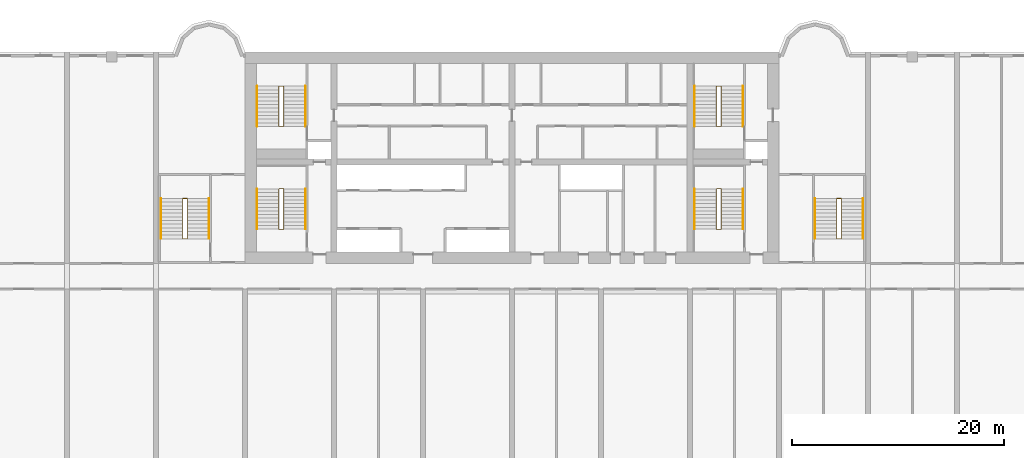
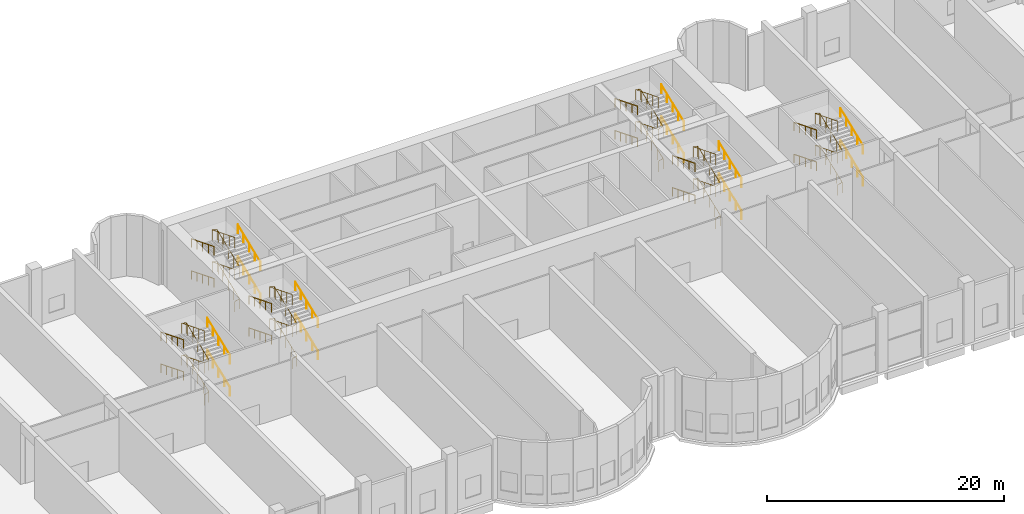
# One storey, part 15 of 15: 30 railings.
"""IFC4 building model written with IfcOpenShell, lengths in metres."""

import ifcopenshell
import ifcopenshell.guid

model = None  # the IFC model being written
_history = None  # IfcOwnerHistory: only IFC2X3 demands one
_inside = {}  # id of a spatial element -> (the spatial element, [elements in it])
_under = {}  # id of a project, library or spatial element -> (it, [spatial elements below it])
_declared = {}  # id of a project -> (the project, [libraries it declares])
_typed = {}  # id of a type object -> (the type object, [elements of that type])
_made_of = {}  # id of a material, layer set ... -> (it, [elements and type objects made of it])


def new_model(schema):
    """Start an empty IFC model of exactly this schema.

    Asked for "IFC4X3", IfcOpenShell would pick the latest addendum, in which some entities
    have other attributes; the version numbers below select the first issue.
    IFC2X3 requires an IfcOwnerHistory on every rooted entity: one is made here for all.
    """
    global model, _history
    if schema == "IFC4X3":
        model = ifcopenshell.file(schema_version=(4, 3, 0, 0))
    else:
        model = ifcopenshell.file(schema=schema)
    _inside.clear()
    _under.clear()
    _declared.clear()
    _typed.clear()
    _made_of.clear()
    _history = None
    if model.schema == "IFC2X3":
        org = make("IfcOrganization", Name="unknown")
        user = make(
            "IfcPersonAndOrganization",
            ThePerson=make("IfcPerson", FamilyName="unknown"),
            TheOrganization=org,
        )
        app = make(
            "IfcApplication",
            ApplicationDeveloper=org,
            Version="unknown",
            ApplicationFullName="unknown",
            ApplicationIdentifier="unknown",
        )
        _history = make(
            "IfcOwnerHistory",
            OwningUser=user,
            OwningApplication=app,
            ChangeAction="ADDED",
            CreationDate=0,
        )
    return model


def make(cls, **values):
    """One entity of the class cls with the attributes given. An attribute that is None is left unset."""
    return model.create_entity(
        cls, **{name: value for name, value in values.items() if value is not None}
    )


def rooted(cls, **values):
    """An entity with a GlobalId (a new one), such as an element, a storey or a relation."""
    return make(cls, GlobalId=ifcopenshell.guid.new(), OwnerHistory=_history, **values)


def si_unit(unit_type, name, prefix=None):
    """IfcSIUnit, for example si_unit("LENGTHUNIT", "METRE", prefix="MILLI")."""
    return make("IfcSIUnit", UnitType=unit_type, Prefix=prefix, Name=name)


def assignment(units):
    """IfcUnitAssignment: the units of a project."""
    return None if units is None else make("IfcUnitAssignment", Units=units)


def point(xyz):
    """IfcCartesianPoint."""
    return None if xyz is None else make("IfcCartesianPoint", Coordinates=xyz)


def direction(xyz):
    """IfcDirection."""
    return None if xyz is None else make("IfcDirection", DirectionRatios=xyz)


def frame(location, z_axis=None, x_axis=None):
    """IfcAxis2Placement3D, a coordinate frame: its origin and axes. An axis left out is left unset."""
    return make(
        "IfcAxis2Placement3D",
        Location=point(location),
        Axis=direction(z_axis),
        RefDirection=direction(x_axis),
    )


def frame_2d(location, x_axis=None):
    """IfcAxis2Placement2D, a coordinate frame in the plane: its origin and x axis."""
    return make(
        "IfcAxis2Placement2D", Location=point(location), RefDirection=direction(x_axis)
    )


def origin():
    """The frame at (0, 0, 0) with its axes left unset."""
    return frame((0.0, 0.0, 0.0))


def origin_2d():
    """The frame at (0, 0) in the plane with its x axis left unset."""
    return frame_2d((0.0, 0.0))


def place(relative_to, where):
    """IfcLocalPlacement: puts the frame where relative to a parent placement (None: the world)."""
    return make(
        "IfcLocalPlacement", PlacementRelTo=relative_to, RelativePlacement=where
    )


def context(
    kind, dimensions, precision=None, world=None, true_north=None, identifier=None
):
    """IfcGeometricRepresentationContext, for example the 3D "Model" context."""
    return make(
        "IfcGeometricRepresentationContext",
        ContextIdentifier=identifier,
        ContextType=kind,
        CoordinateSpaceDimension=dimensions,
        Precision=precision,
        WorldCoordinateSystem=world,
        TrueNorth=true_north,
    )


def subcontext(parent, identifier, kind, view, scale=None):
    """IfcGeometricRepresentationSubContext, for example "Body" below "Model"."""
    return make(
        "IfcGeometricRepresentationSubContext",
        ContextIdentifier=identifier,
        ContextType=kind,
        ParentContext=parent,
        TargetScale=scale,
        TargetView=view,
    )


def project(units=None, contexts=None):
    """IfcProject with its units and contexts."""
    return rooted(
        "IfcProject",
        Name="project",
        RepresentationContexts=contexts,
        UnitsInContext=assignment(units),
    )


def spatial(cls, under=None, at=None, **own):
    """A site, building, storey or space (cls), placed at a placement, below another one or the project."""
    s = rooted(cls, ObjectPlacement=at, **own)
    if under is not None:
        _under.setdefault(under.id(), (under, []))[1].append(s)
    return s


def profile(cls, at=None, kind="AREA", **sizes):
    """A parametric profile (cls). Its sizes go by their IFC names, for example OverallWidth=200.0."""
    return make(cls, ProfileType=kind, Position=at, **sizes)


def circle(**sizes):
    """IfcCircleProfileDef."""
    return profile("IfcCircleProfileDef", **sizes)


def extrude(swept, where, along, depth):
    """IfcExtrudedAreaSolid: the profile swept, set in the frame where, extruded along a direction by depth."""
    return make(
        "IfcExtrudedAreaSolid",
        SweptArea=swept,
        Position=where,
        ExtrudedDirection=direction(along),
        Depth=depth,
    )


def shape(context_of_items, identifier, shape_type, items):
    """IfcShapeRepresentation: the items that make up one representation, for example the "Body"."""
    return make(
        "IfcShapeRepresentation",
        ContextOfItems=context_of_items,
        RepresentationIdentifier=identifier,
        RepresentationType=shape_type,
        Items=items,
    )


def source(mapping_origin, context_of_items, identifier, shape_type, items):
    """IfcRepresentationMap: a shape defined once, which mapped items show again and again."""
    return make(
        "IfcRepresentationMap",
        MappingOrigin=mapping_origin,
        MappedRepresentation=shape(context_of_items, identifier, shape_type, items),
    )


def transform(
    local_origin,
    x_axis=None,
    y_axis=None,
    z_axis=None,
    scale=None,
    scale2=None,
    scale3=None,
    uniform=True,
):
    """IfcCartesianTransformationOperator3D, or its non-uniform kind. x_axis, y_axis, z_axis: its Axis1, 2, 3."""
    if uniform:
        return make(
            "IfcCartesianTransformationOperator3D",
            Axis1=direction(x_axis),
            Axis2=direction(y_axis),
            LocalOrigin=point(local_origin),
            Scale=scale,
            Axis3=direction(z_axis),
        )
    return make(
        "IfcCartesianTransformationOperator3DnonUniform",
        Axis1=direction(x_axis),
        Axis2=direction(y_axis),
        LocalOrigin=point(local_origin),
        Scale=scale,
        Axis3=direction(z_axis),
        Scale2=scale2,
        Scale3=scale3,
    )


def mapped(mapping_source, mapping_target):
    """IfcMappedItem: shows the shape of a source again, moved by a transform."""
    return make(
        "IfcMappedItem", MappingSource=mapping_source, MappingTarget=mapping_target
    )


def material(Name=None, Category=None):
    """IfcMaterial."""
    return make("IfcMaterial", Name=Name, Category=Category)


def made_of(thing, what):
    """Note that an element or type object is made of a material, layer set ...; save() writes the relation."""
    if what is not None:
        _made_of.setdefault(what.id(), (what, []))[1].append(thing)
    return thing


def type_object(cls, material=None, **own):
    """A type object (cls), such as IfcWallType, which elements share."""
    return made_of(rooted(cls, **own), material)


def element(
    cls,
    number,
    at=None,
    inside=None,
    cuts=None,
    type_object=None,
    material=None,
    context=None,
    identifier="Body",
    shape_type=None,
    held_by="IfcProductDefinitionShape",
    body=None,
    shapes=None,
    **own,
):
    """One element of the class cls, such as IfcWall. Its Tag is "e" and its number.

    at: its placement. inside: the storey or other place that contains it. cuts: it is an
    opening in that element (IfcRelVoidsElement). A single representation is given by context,
    identifier, shape_type and body (its items); several are given by shapes. held_by: the class
    of the entity that holds the representations. save() writes the other relations.
    """
    e = rooted(cls, Tag="e%d" % number, ObjectPlacement=at, **own)
    if body is not None:
        shapes = [shape(context, identifier, shape_type, body)]
    if shapes is not None:
        e.Representation = make(held_by, Representations=shapes)
    if inside is not None:
        _inside.setdefault(inside.id(), (inside, []))[1].append(e)
    if cuts is not None:
        rooted(
            "IfcRelVoidsElement", RelatingBuildingElement=cuts, RelatedOpeningElement=e
        )
    if type_object is not None:
        _typed.setdefault(type_object.id(), (type_object, []))[1].append(e)
    return made_of(e, material)


def aggregate(whole, parts):
    """IfcRelAggregates: a whole, such as a stair, and the parts it consists of."""
    return rooted("IfcRelAggregates", RelatingObject=whole, RelatedObjects=parts)


def save(model, path):
    """Write the relations noted so far, then the file.

    IfcRelAggregates (storeys below a building ...), IfcRelContainedInSpatialStructure (elements
    in a storey), IfcRelDefinesByType, IfcRelAssociatesMaterial and IfcRelDeclares: one each for
    every whole, place, type object, material and project.
    """
    for whole, parts in _under.values():
        aggregate(whole, parts)
    for where, things in _inside.values():
        rooted(
            "IfcRelContainedInSpatialStructure",
            RelatedElements=things,
            RelatingStructure=where,
        )
    for kind, things in _typed.values():
        rooted("IfcRelDefinesByType", RelatedObjects=things, RelatingType=kind)
    for what, things in _made_of.values():
        rooted("IfcRelAssociatesMaterial", RelatedObjects=things, RelatingMaterial=what)
    for by, libraries in _declared.values():
        rooted("IfcRelDeclares", RelatingContext=by, RelatedDefinitions=libraries)
    model.write(path)


model = new_model("IFC4")

# Units and contexts
model_context = context("Model", 3, precision=1e-05, world=origin(), true_north=direction((0.0, 1.0)))
body_context = subcontext(model_context, "Body", "Model", "MODEL_VIEW")
ifc_project = project(units=[si_unit("LENGTHUNIT", "METRE"), si_unit("AREAUNIT", "SQUARE_METRE"), si_unit("VOLUMEUNIT", "CUBIC_METRE"), si_unit("PLANEANGLEUNIT", "RADIAN"), si_unit("MASSUNIT", "GRAM", prefix="KILO")], contexts=[model_context])

# Site, building, storey
site_placement = place(None, origin())
site = spatial("IfcSite", under=ifc_project, at=site_placement, CompositionType="ELEMENT")
building_placement = place(site_placement, origin())
building = spatial("IfcBuilding", under=site, at=building_placement, Name="Vanashikhar Sky Hotel", CompositionType="ELEMENT")
storey_placement = place(building_placement, frame((0.0, 0.0, 11.39990234375)))
storey = spatial("IfcBuildingStorey", under=building, at=storey_placement, Name="L02", CompositionType="ELEMENT", Elevation=11.39990234375)

# Railings
ifc_material = material(Name="Steel S355", Category="steel")
railing_type_1 = type_object("IfcRailingType", Name="Stair guard 1100", PredefinedType="GUARDRAIL", material=ifc_material)
shared_shape_1 = source(origin(), body_context, "Body", "SweptSolid", [
    extrude(circle(Radius=0.02392578125, at=origin_2d()), frame((0.0, 0.0, 1.076171875), z_axis=(0.956271020471, 0.0, 0.292482025784), x_axis=(0.0, 1.0, 0.0)), (0.0, 0.0, 1.0), 0.470703125),
    extrude(circle(Radius=0.02392578125, at=origin_2d()), frame((0.4501953125, 0.0, 1.2138671875), z_axis=(0.0, 0.929113412491, 0.369794898193), x_axis=(-1.0, 0.0, 0.0)), (0.0, 0.0, 1.0), 4.090087890625),
    extrude(circle(Radius=0.02392578125, at=origin_2d()), frame((0.4501953125, 3.800048828125, 2.72607421875), z_axis=(-0.956415968998, 0.0, 0.292007695524), x_axis=(0.0, -1.0, 0.0)), (0.0, 0.0, 1.0), 0.470703125),
    extrude(circle(Radius=0.02392578125, at=origin_2d()), frame((0.0, 3.800048828125, 2.86376953125), z_axis=(0.0, -0.929113412491, 0.369794898193), x_axis=(1.0, 0.0, 0.0)), (0.0, 0.0, 1.0), 4.090087890625),
    extrude(circle(Radius=0.02392578125, at=origin_2d()), frame((0.0, 0.0, 4.3759765625), z_axis=(0.956415968998, 0.0, 0.292007695524), x_axis=(0.0, 1.0, 0.0)), (0.0, 0.0, 1.0), 0.470703125),
    extrude(circle(Radius=0.02392578125, at=origin_2d()), frame((0.4501953125, 0.0, 4.513671875), z_axis=(0.0, 0.92909290229, 0.369846426122), x_axis=(-1.0, 0.0, 0.0)), (0.0, 0.0, 1.0), 4.090087890625),
    extrude(circle(Radius=0.02392578125, at=origin_2d()), frame((0.4501953125, 3.800048828125, 6.0263671875), z_axis=(-0.956415968998, 0.0, 0.292007695524), x_axis=(0.0, -1.0, 0.0)), (0.0, 0.0, 1.0), 0.470703125),
    extrude(circle(Radius=0.02392578125, at=origin_2d()), frame((0.0, 3.800048828125, 6.16357421875), z_axis=(0.0, -0.929113412491, 0.369794898193), x_axis=(1.0, 0.0, 0.0)), (0.0, 0.0, 1.0), 4.090087890625),
    extrude(circle(Radius=0.02099609375, at=origin_2d()), origin(), (0.0, 0.0, 1.0), 1.052001953125),
    extrude(circle(Radius=0.02099609375, at=origin_2d()), frame((0.4501953125, 0.0, 0.1376953125)), (0.0, 0.0, 1.0), 1.052001953125),
    extrude(circle(Radius=0.02099609375, at=origin_2d()), frame((0.4501953125, 0.949951171875, 0.515869140625)), (0.0, 0.0, 1.0), 1.052001953125),
    extrude(circle(Radius=0.02099609375, at=origin_2d()), frame((0.4501953125, 1.89990234375, 0.89404296875)), (0.0, 0.0, 1.0), 1.052001953125),
    extrude(circle(Radius=0.02099609375, at=origin_2d()), frame((0.4501953125, 2.85009765625, 1.27197265625)), (0.0, 0.0, 1.0), 1.052001953125),
    extrude(circle(Radius=0.02099609375, at=origin_2d()), frame((0.4501953125, 3.800048828125, 1.650146484375)), (0.0, 0.0, 1.0), 1.052001953125),
    extrude(circle(Radius=0.02099609375, at=origin_2d()), frame((0.0, 3.800048828125, 1.78759765625)), (0.0, 0.0, 1.0), 1.052001953125),
    extrude(circle(Radius=0.02099609375, at=origin_2d()), frame((0.0, 2.85009765625, 2.165771484375)), (0.0, 0.0, 1.0), 1.052001953125),
    extrude(circle(Radius=0.02099609375, at=origin_2d()), frame((0.0, 1.89990234375, 2.5439453125)), (0.0, 0.0, 1.0), 1.052001953125),
    extrude(circle(Radius=0.02099609375, at=origin_2d()), frame((0.0, 0.949951171875, 2.921875)), (0.0, 0.0, 1.0), 1.052001953125),
    extrude(circle(Radius=0.02099609375, at=origin_2d()), frame((0.0, 0.0, 3.300048828125)), (0.0, 0.0, 1.0), 1.052001953125),
    extrude(circle(Radius=0.02099609375, at=origin_2d()), frame((0.4501953125, 0.0, 3.4375)), (0.0, 0.0, 1.0), 1.052001953125),
    extrude(circle(Radius=0.02099609375, at=origin_2d()), frame((0.4501953125, 0.949951171875, 3.815673828125)), (0.0, 0.0, 1.0), 1.052001953125),
    extrude(circle(Radius=0.02099609375, at=origin_2d()), frame((0.4501953125, 1.89990234375, 4.19384765625)), (0.0, 0.0, 1.0), 1.052001953125),
    extrude(circle(Radius=0.02099609375, at=origin_2d()), frame((0.4501953125, 2.85009765625, 4.572021484375)), (0.0, 0.0, 1.0), 1.052001953125),
    extrude(circle(Radius=0.02099609375, at=origin_2d()), frame((0.4501953125, 3.800048828125, 4.9501953125)), (0.0, 0.0, 1.0), 1.052001953125),
    extrude(circle(Radius=0.02099609375, at=origin_2d()), frame((0.0, 3.800048828125, 5.087646484375)), (0.0, 0.0, 1.0), 1.052001953125),
    extrude(circle(Radius=0.02099609375, at=origin_2d()), frame((0.0, 2.85009765625, 5.4658203125)), (0.0, 0.0, 1.0), 1.052001953125),
    extrude(circle(Radius=0.02099609375, at=origin_2d()), frame((0.0, 1.89990234375, 5.84375)), (0.0, 0.0, 1.0), 1.052001953125),
    extrude(circle(Radius=0.02099609375, at=origin_2d()), frame((0.0, 0.949951171875, 6.221923828125)), (0.0, 0.0, 1.0), 1.052001953125),
    extrude(circle(Radius=0.02099609375, at=origin_2d()), frame((0.0, 0.0, 6.60009765625)), (0.0, 0.0, 1.0), 1.052001953125),
])
for number, where, name in (
    (1, (28.39990234375, 25.25, 0.0), "Exit stair 1 guard"),
    (2, (28.39990234375, 34.949951171875, 0.0), "Exit stair 5 guard"),
):
    element("IfcRailing", number, at=place(storey_placement, frame(where)), inside=storey, type_object=railing_type_1, Name=name, PredefinedType="GUARDRAIL", context=body_context, shape_type="MappedRepresentation", body=[
        mapped(shared_shape_1, transform((0.0, 0.0, 0.0), scale=1.0)),
    ])
railing_type_2 = type_object("IfcRailingType", Name="Stair handrail 900", PredefinedType="HANDRAIL", material=ifc_material)
shared_shape_2 = source(origin(), body_context, "Body", "SweptSolid", [
    extrude(circle(Radius=0.02392578125, at=origin_2d()), frame((0.0, 0.0, 0.8759765625), z_axis=(0.0, 0.929113412491, 0.369794898193), x_axis=(-1.0, 0.0, 0.0)), (0.0, 0.0, 1.0), 4.090087890625),
    extrude(circle(Radius=0.02099609375, at=origin_2d()), origin(), (0.0, 0.0, 1.0), 0.851806640625),
    extrude(circle(Radius=0.02099609375, at=origin_2d()), frame((0.0, 0.949951171875, 0.378173828125)), (0.0, 0.0, 1.0), 0.851806640625),
    extrude(circle(Radius=0.02099609375, at=origin_2d()), frame((0.0, 1.89990234375, 0.75634765625)), (0.0, 0.0, 1.0), 0.851806640625),
    extrude(circle(Radius=0.02099609375, at=origin_2d()), frame((0.0, 2.85009765625, 1.13427734375)), (0.0, 0.0, 1.0), 0.851806640625),
    extrude(circle(Radius=0.02099609375, at=origin_2d()), frame((0.0, 3.800048828125, 1.512451171875)), (0.0, 0.0, 1.0), 0.851806640625),
])
for number, where, name in (
    (3, (30.89990234375, 25.25, 0.1376953125), "Exit stair 1 handrail"),
    (4, (72.199951171875, 25.25, 0.1376953125), "Exit stair 2 handrail"),
    (5, (30.89990234375, 34.949951171875, 0.1376953125), "Exit stair 5 handrail"),
    (6, (72.199951171875, 34.949951171875, 0.1376953125), "Exit stair 6 handrail"),
):
    element("IfcRailing", number, at=place(storey_placement, frame(where)), inside=storey, type_object=railing_type_2, Name=name, PredefinedType="HANDRAIL", context=body_context, shape_type="MappedRepresentation", body=[
        mapped(shared_shape_2, transform((0.0, 0.0, 0.0), scale=1.0)),
    ])
shared_shape_3 = source(origin(), body_context, "Body", "SweptSolid", [
    extrude(circle(Radius=0.02392578125, at=origin_2d()), frame((0.0, 0.0, 0.8759765625), z_axis=(0.0, -0.929113412491, 0.369794898193), x_axis=(1.0, 0.0, 0.0)), (0.0, 0.0, 1.0), 4.090087890625),
    extrude(circle(Radius=0.02099609375, at=origin_2d()), origin(), (0.0, 0.0, 1.0), 0.851806640625),
    extrude(circle(Radius=0.02099609375, at=origin_2d()), frame((0.0, -0.949951171875, 0.378173828125)), (0.0, 0.0, 1.0), 0.851806640625),
    extrude(circle(Radius=0.02099609375, at=origin_2d()), frame((0.0, -1.89990234375, 0.75634765625)), (0.0, 0.0, 1.0), 0.851806640625),
    extrude(circle(Radius=0.02099609375, at=origin_2d()), frame((0.0, -2.85009765625, 1.13427734375)), (0.0, 0.0, 1.0), 0.851806640625),
    extrude(circle(Radius=0.02099609375, at=origin_2d()), frame((0.0, -3.800048828125, 1.512451171875)), (0.0, 0.0, 1.0), 0.851806640625),
])
for number, where, name in (
    (7, (26.35009765625, 29.050048828125, 1.78759765625), "Exit stair 1 handrail"),
    (8, (26.35009765625, 29.050048828125, 5.087646484375), "Exit stair 1 handrail"),
    (9, (67.64990234375, 29.050048828125, 1.78759765625), "Exit stair 2 handrail"),
    (10, (67.64990234375, 29.050048828125, 5.087646484375), "Exit stair 2 handrail"),
    (11, (26.35009765625, 38.75, 1.78759765625), "Exit stair 5 handrail"),
    (12, (26.35009765625, 38.75, 5.087646484375), "Exit stair 5 handrail"),
    (13, (67.64990234375, 38.75, 1.78759765625), "Exit stair 6 handrail"),
    (14, (67.64990234375, 38.75, 5.087646484375), "Exit stair 6 handrail"),
):
    element("IfcRailing", number, at=place(storey_placement, frame(where)), inside=storey, type_object=railing_type_2, Name=name, PredefinedType="HANDRAIL", context=body_context, shape_type="MappedRepresentation", body=[
        mapped(shared_shape_3, transform((0.0, 0.0, 0.0), scale=1.0)),
    ])
shared_shape_4 = source(origin(), body_context, "Body", "SweptSolid", [
    extrude(circle(Radius=0.02392578125, at=origin_2d()), frame((0.0, 0.0, 0.8759765625), z_axis=(0.0, 0.92909290229, 0.369846426122), x_axis=(-1.0, 0.0, 0.0)), (0.0, 0.0, 1.0), 4.090087890625),
    extrude(circle(Radius=0.02099609375, at=origin_2d()), origin(), (0.0, 0.0, 1.0), 0.851806640625),
    extrude(circle(Radius=0.02099609375, at=origin_2d()), frame((0.0, 0.949951171875, 0.378173828125)), (0.0, 0.0, 1.0), 0.851806640625),
    extrude(circle(Radius=0.02099609375, at=origin_2d()), frame((0.0, 1.89990234375, 0.75634765625)), (0.0, 0.0, 1.0), 0.851806640625),
    extrude(circle(Radius=0.02099609375, at=origin_2d()), frame((0.0, 2.85009765625, 1.134521484375)), (0.0, 0.0, 1.0), 0.851806640625),
    extrude(circle(Radius=0.02099609375, at=origin_2d()), frame((0.0, 3.800048828125, 1.5126953125)), (0.0, 0.0, 1.0), 0.851806640625),
])
for number, where, name in (
    (15, (30.89990234375, 25.25, 3.4375), "Exit stair 1 handrail"),
    (16, (72.199951171875, 25.25, 3.4375), "Exit stair 2 handrail"),
    (17, (30.89990234375, 34.949951171875, 3.4375), "Exit stair 5 handrail"),
    (18, (72.199951171875, 34.949951171875, 3.4375), "Exit stair 6 handrail"),
):
    element("IfcRailing", number, at=place(storey_placement, frame(where)), inside=storey, type_object=railing_type_2, Name=name, PredefinedType="HANDRAIL", context=body_context, shape_type="MappedRepresentation", body=[
        mapped(shared_shape_4, transform((0.0, 0.0, 0.0), scale=1.0)),
    ])
shared_shape_5 = source(origin(), body_context, "Body", "SweptSolid", [
    extrude(circle(Radius=0.02392578125, at=origin_2d()), frame((0.0, 0.0, 1.076171875), z_axis=(0.956226624702, 0.0, 0.292627138541), x_axis=(0.0, 1.0, 0.0)), (0.0, 0.0, 1.0), 0.470458984375),
    extrude(circle(Radius=0.02392578125, at=origin_2d()), frame((0.449951171875, 0.0, 1.2138671875), z_axis=(0.0, 0.929113412491, 0.369794898193), x_axis=(-1.0, 0.0, 0.0)), (0.0, 0.0, 1.0), 4.090087890625),
    extrude(circle(Radius=0.02392578125, at=origin_2d()), frame((0.449951171875, 3.800048828125, 2.72607421875), z_axis=(-0.956371710392, 0.0, 0.292152616902), x_axis=(0.0, -1.0, 0.0)), (0.0, 0.0, 1.0), 0.470458984375),
    extrude(circle(Radius=0.02392578125, at=origin_2d()), frame((0.0, 3.800048828125, 2.86376953125), z_axis=(0.0, -0.929113412491, 0.369794898193), x_axis=(1.0, 0.0, 0.0)), (0.0, 0.0, 1.0), 4.090087890625),
    extrude(circle(Radius=0.02392578125, at=origin_2d()), frame((0.0, 0.0, 4.3759765625), z_axis=(0.956371710392, 0.0, 0.292152616902), x_axis=(0.0, 1.0, 0.0)), (0.0, 0.0, 1.0), 0.470458984375),
    extrude(circle(Radius=0.02392578125, at=origin_2d()), frame((0.449951171875, 0.0, 4.513671875), z_axis=(0.0, 0.92909290229, 0.369846426122), x_axis=(-1.0, 0.0, 0.0)), (0.0, 0.0, 1.0), 4.090087890625),
    extrude(circle(Radius=0.02392578125, at=origin_2d()), frame((0.449951171875, 3.800048828125, 6.0263671875), z_axis=(-0.956371710392, 0.0, 0.292152616902), x_axis=(0.0, -1.0, 0.0)), (0.0, 0.0, 1.0), 0.470458984375),
    extrude(circle(Radius=0.02392578125, at=origin_2d()), frame((0.0, 3.800048828125, 6.16357421875), z_axis=(0.0, -0.929113412491, 0.369794898193), x_axis=(1.0, 0.0, 0.0)), (0.0, 0.0, 1.0), 4.090087890625),
    extrude(circle(Radius=0.02099609375, at=origin_2d()), origin(), (0.0, 0.0, 1.0), 1.052001953125),
    extrude(circle(Radius=0.02099609375, at=origin_2d()), frame((0.449951171875, 0.0, 0.1376953125)), (0.0, 0.0, 1.0), 1.052001953125),
    extrude(circle(Radius=0.02099609375, at=origin_2d()), frame((0.449951171875, 0.949951171875, 0.515869140625)), (0.0, 0.0, 1.0), 1.052001953125),
    extrude(circle(Radius=0.02099609375, at=origin_2d()), frame((0.449951171875, 1.89990234375, 0.89404296875)), (0.0, 0.0, 1.0), 1.052001953125),
    extrude(circle(Radius=0.02099609375, at=origin_2d()), frame((0.449951171875, 2.85009765625, 1.27197265625)), (0.0, 0.0, 1.0), 1.052001953125),
    extrude(circle(Radius=0.02099609375, at=origin_2d()), frame((0.449951171875, 3.800048828125, 1.650146484375)), (0.0, 0.0, 1.0), 1.052001953125),
    extrude(circle(Radius=0.02099609375, at=origin_2d()), frame((0.0, 3.800048828125, 1.78759765625)), (0.0, 0.0, 1.0), 1.052001953125),
    extrude(circle(Radius=0.02099609375, at=origin_2d()), frame((0.0, 2.85009765625, 2.165771484375)), (0.0, 0.0, 1.0), 1.052001953125),
    extrude(circle(Radius=0.02099609375, at=origin_2d()), frame((0.0, 1.89990234375, 2.5439453125)), (0.0, 0.0, 1.0), 1.052001953125),
    extrude(circle(Radius=0.02099609375, at=origin_2d()), frame((0.0, 0.949951171875, 2.921875)), (0.0, 0.0, 1.0), 1.052001953125),
    extrude(circle(Radius=0.02099609375, at=origin_2d()), frame((0.0, 0.0, 3.300048828125)), (0.0, 0.0, 1.0), 1.052001953125),
    extrude(circle(Radius=0.02099609375, at=origin_2d()), frame((0.449951171875, 0.0, 3.4375)), (0.0, 0.0, 1.0), 1.052001953125),
    extrude(circle(Radius=0.02099609375, at=origin_2d()), frame((0.449951171875, 0.949951171875, 3.815673828125)), (0.0, 0.0, 1.0), 1.052001953125),
    extrude(circle(Radius=0.02099609375, at=origin_2d()), frame((0.449951171875, 1.89990234375, 4.19384765625)), (0.0, 0.0, 1.0), 1.052001953125),
    extrude(circle(Radius=0.02099609375, at=origin_2d()), frame((0.449951171875, 2.85009765625, 4.572021484375)), (0.0, 0.0, 1.0), 1.052001953125),
    extrude(circle(Radius=0.02099609375, at=origin_2d()), frame((0.449951171875, 3.800048828125, 4.9501953125)), (0.0, 0.0, 1.0), 1.052001953125),
    extrude(circle(Radius=0.02099609375, at=origin_2d()), frame((0.0, 3.800048828125, 5.087646484375)), (0.0, 0.0, 1.0), 1.052001953125),
    extrude(circle(Radius=0.02099609375, at=origin_2d()), frame((0.0, 2.85009765625, 5.4658203125)), (0.0, 0.0, 1.0), 1.052001953125),
    extrude(circle(Radius=0.02099609375, at=origin_2d()), frame((0.0, 1.89990234375, 5.84375)), (0.0, 0.0, 1.0), 1.052001953125),
    extrude(circle(Radius=0.02099609375, at=origin_2d()), frame((0.0, 0.949951171875, 6.221923828125)), (0.0, 0.0, 1.0), 1.052001953125),
    extrude(circle(Radius=0.02099609375, at=origin_2d()), frame((0.0, 0.0, 6.60009765625)), (0.0, 0.0, 1.0), 1.052001953125),
])
for number, where, name in (
    (19, (69.699951171875, 25.25, 0.0), "Exit stair 2 guard"),
    (20, (69.699951171875, 34.949951171875, 0.0), "Exit stair 6 guard"),
):
    element("IfcRailing", number, at=place(storey_placement, frame(where)), inside=storey, type_object=railing_type_1, Name=name, PredefinedType="GUARDRAIL", context=body_context, shape_type="MappedRepresentation", body=[
        mapped(shared_shape_5, transform((0.0, 0.0, 0.0), scale=1.0)),
    ])
shared_shape_6 = source(origin(), body_context, "Body", "SweptSolid", [
    extrude(circle(Radius=0.02392578125, at=origin_2d()), frame((0.0, 0.0, 1.076171875), z_axis=(0.956226624702, 0.0, 0.292627138541), x_axis=(0.0, 1.0, 0.0)), (0.0, 0.0, 1.0), 0.470458984375),
    extrude(circle(Radius=0.02392578125, at=origin_2d()), frame((0.449951171875, 0.0, 1.2138671875), z_axis=(0.0, 0.929105248969, 0.369815408466), x_axis=(-1.0, 0.0, 0.0)), (0.0, 0.0, 1.0), 4.08984375),
    extrude(circle(Radius=0.02392578125, at=origin_2d()), frame((0.449951171875, 3.7998046875, 2.72607421875), z_axis=(-0.956371710392, 0.0, 0.292152616902), x_axis=(0.0, -1.0, 0.0)), (0.0, 0.0, 1.0), 0.470458984375),
    extrude(circle(Radius=0.02392578125, at=origin_2d()), frame((0.0, 3.7998046875, 2.86376953125), z_axis=(0.0, -0.929105248969, 0.369815408466), x_axis=(1.0, 0.0, 0.0)), (0.0, 0.0, 1.0), 4.08984375),
    extrude(circle(Radius=0.02392578125, at=origin_2d()), frame((0.0, 0.0, 4.3759765625), z_axis=(0.956371710392, 0.0, 0.292152616902), x_axis=(0.0, 1.0, 0.0)), (0.0, 0.0, 1.0), 0.470458984375),
    extrude(circle(Radius=0.02392578125, at=origin_2d()), frame((0.449951171875, 0.0, 4.513671875), z_axis=(0.0, 0.929084736673, 0.369866938346), x_axis=(-1.0, 0.0, 0.0)), (0.0, 0.0, 1.0), 4.08984375),
    extrude(circle(Radius=0.02392578125, at=origin_2d()), frame((0.449951171875, 3.7998046875, 6.0263671875), z_axis=(-0.956371710392, 0.0, 0.292152616902), x_axis=(0.0, -1.0, 0.0)), (0.0, 0.0, 1.0), 0.470458984375),
    extrude(circle(Radius=0.02392578125, at=origin_2d()), frame((0.0, 3.7998046875, 6.16357421875), z_axis=(0.0, -0.929105248969, 0.369815408466), x_axis=(1.0, 0.0, 0.0)), (0.0, 0.0, 1.0), 4.08984375),
    extrude(circle(Radius=0.02099609375, at=origin_2d()), origin(), (0.0, 0.0, 1.0), 1.052001953125),
    extrude(circle(Radius=0.02099609375, at=origin_2d()), frame((0.449951171875, 0.0, 0.1376953125)), (0.0, 0.0, 1.0), 1.052001953125),
    extrude(circle(Radius=0.02099609375, at=origin_2d()), frame((0.449951171875, 0.949951171875, 0.515869140625)), (0.0, 0.0, 1.0), 1.052001953125),
    extrude(circle(Radius=0.02099609375, at=origin_2d()), frame((0.449951171875, 1.89990234375, 0.89404296875)), (0.0, 0.0, 1.0), 1.052001953125),
    extrude(circle(Radius=0.02099609375, at=origin_2d()), frame((0.449951171875, 2.849853515625, 1.27197265625)), (0.0, 0.0, 1.0), 1.052001953125),
    extrude(circle(Radius=0.02099609375, at=origin_2d()), frame((0.449951171875, 3.7998046875, 1.650146484375)), (0.0, 0.0, 1.0), 1.052001953125),
    extrude(circle(Radius=0.02099609375, at=origin_2d()), frame((0.0, 3.7998046875, 1.78759765625)), (0.0, 0.0, 1.0), 1.052001953125),
    extrude(circle(Radius=0.02099609375, at=origin_2d()), frame((0.0, 2.849853515625, 2.165771484375)), (0.0, 0.0, 1.0), 1.052001953125),
    extrude(circle(Radius=0.02099609375, at=origin_2d()), frame((0.0, 1.89990234375, 2.5439453125)), (0.0, 0.0, 1.0), 1.052001953125),
    extrude(circle(Radius=0.02099609375, at=origin_2d()), frame((0.0, 0.949951171875, 2.921875)), (0.0, 0.0, 1.0), 1.052001953125),
    extrude(circle(Radius=0.02099609375, at=origin_2d()), frame((0.0, 0.0, 3.300048828125)), (0.0, 0.0, 1.0), 1.052001953125),
    extrude(circle(Radius=0.02099609375, at=origin_2d()), frame((0.449951171875, 0.0, 3.4375)), (0.0, 0.0, 1.0), 1.052001953125),
    extrude(circle(Radius=0.02099609375, at=origin_2d()), frame((0.449951171875, 0.949951171875, 3.815673828125)), (0.0, 0.0, 1.0), 1.052001953125),
    extrude(circle(Radius=0.02099609375, at=origin_2d()), frame((0.449951171875, 1.89990234375, 4.19384765625)), (0.0, 0.0, 1.0), 1.052001953125),
    extrude(circle(Radius=0.02099609375, at=origin_2d()), frame((0.449951171875, 2.849853515625, 4.572021484375)), (0.0, 0.0, 1.0), 1.052001953125),
    extrude(circle(Radius=0.02099609375, at=origin_2d()), frame((0.449951171875, 3.7998046875, 4.9501953125)), (0.0, 0.0, 1.0), 1.052001953125),
    extrude(circle(Radius=0.02099609375, at=origin_2d()), frame((0.0, 3.7998046875, 5.087646484375)), (0.0, 0.0, 1.0), 1.052001953125),
    extrude(circle(Radius=0.02099609375, at=origin_2d()), frame((0.0, 2.849853515625, 5.4658203125)), (0.0, 0.0, 1.0), 1.052001953125),
    extrude(circle(Radius=0.02099609375, at=origin_2d()), frame((0.0, 1.89990234375, 5.84375)), (0.0, 0.0, 1.0), 1.052001953125),
    extrude(circle(Radius=0.02099609375, at=origin_2d()), frame((0.0, 0.949951171875, 6.221923828125)), (0.0, 0.0, 1.0), 1.052001953125),
    extrude(circle(Radius=0.02099609375, at=origin_2d()), frame((0.0, 0.0, 6.60009765625)), (0.0, 0.0, 1.0), 1.052001953125),
])
for number, where, name in (
    (21, (19.300048828125, 24.35009765625, 0.0), "Exit stair 3 guard"),
    (22, (81.050048828125, 24.35009765625, 0.0), "Exit stair 4 guard"),
):
    element("IfcRailing", number, at=place(storey_placement, frame(where)), inside=storey, type_object=railing_type_1, Name=name, PredefinedType="GUARDRAIL", context=body_context, shape_type="MappedRepresentation", body=[
        mapped(shared_shape_6, transform((0.0, 0.0, 0.0), scale=1.0)),
    ])
shared_shape_7 = source(origin(), body_context, "Body", "SweptSolid", [
    extrude(circle(Radius=0.02392578125, at=origin_2d()), frame((0.0, 0.0, 0.8759765625), z_axis=(0.0, 0.929105248969, 0.369815408466), x_axis=(-1.0, 0.0, 0.0)), (0.0, 0.0, 1.0), 4.08984375),
    extrude(circle(Radius=0.02099609375, at=origin_2d()), origin(), (0.0, 0.0, 1.0), 0.851806640625),
    extrude(circle(Radius=0.02099609375, at=origin_2d()), frame((0.0, 0.949951171875, 0.378173828125)), (0.0, 0.0, 1.0), 0.851806640625),
    extrude(circle(Radius=0.02099609375, at=origin_2d()), frame((0.0, 1.89990234375, 0.75634765625)), (0.0, 0.0, 1.0), 0.851806640625),
    extrude(circle(Radius=0.02099609375, at=origin_2d()), frame((0.0, 2.849853515625, 1.13427734375)), (0.0, 0.0, 1.0), 0.851806640625),
    extrude(circle(Radius=0.02099609375, at=origin_2d()), frame((0.0, 3.7998046875, 1.512451171875)), (0.0, 0.0, 1.0), 0.851806640625),
])
for number, where, name in (
    (23, (21.800048828125, 24.35009765625, 0.1376953125), "Exit stair 3 handrail"),
    (24, (83.550048828125, 24.35009765625, 0.1376953125), "Exit stair 4 handrail"),
):
    element("IfcRailing", number, at=place(storey_placement, frame(where)), inside=storey, type_object=railing_type_2, Name=name, PredefinedType="HANDRAIL", context=body_context, shape_type="MappedRepresentation", body=[
        mapped(shared_shape_7, transform((0.0, 0.0, 0.0), scale=1.0)),
    ])
shared_shape_8 = source(origin(), body_context, "Body", "SweptSolid", [
    extrude(circle(Radius=0.02392578125, at=origin_2d()), frame((0.0, 0.0, 0.8759765625), z_axis=(0.0, -0.929105248969, 0.369815408466), x_axis=(1.0, 0.0, 0.0)), (0.0, 0.0, 1.0), 4.08984375),
    extrude(circle(Radius=0.02099609375, at=origin_2d()), origin(), (0.0, 0.0, 1.0), 0.851806640625),
    extrude(circle(Radius=0.02099609375, at=origin_2d()), frame((0.0, -0.949951171875, 0.378173828125)), (0.0, 0.0, 1.0), 0.851806640625),
    extrude(circle(Radius=0.02099609375, at=origin_2d()), frame((0.0, -1.89990234375, 0.75634765625)), (0.0, 0.0, 1.0), 0.851806640625),
    extrude(circle(Radius=0.02099609375, at=origin_2d()), frame((0.0, -2.849853515625, 1.13427734375)), (0.0, 0.0, 1.0), 0.851806640625),
    extrude(circle(Radius=0.02099609375, at=origin_2d()), frame((0.0, -3.7998046875, 1.512451171875)), (0.0, 0.0, 1.0), 0.851806640625),
])
for number, where, name in (
    (25, (17.25, 28.14990234375, 1.78759765625), "Exit stair 3 handrail"),
    (26, (17.25, 28.14990234375, 5.087646484375), "Exit stair 3 handrail"),
    (27, (79.0, 28.14990234375, 1.78759765625), "Exit stair 4 handrail"),
    (28, (79.0, 28.14990234375, 5.087646484375), "Exit stair 4 handrail"),
):
    element("IfcRailing", number, at=place(storey_placement, frame(where)), inside=storey, type_object=railing_type_2, Name=name, PredefinedType="HANDRAIL", context=body_context, shape_type="MappedRepresentation", body=[
        mapped(shared_shape_8, transform((0.0, 0.0, 0.0), scale=1.0)),
    ])
shared_shape_9 = source(origin(), body_context, "Body", "SweptSolid", [
    extrude(circle(Radius=0.02392578125, at=origin_2d()), frame((0.0, 0.0, 0.8759765625), z_axis=(0.0, 0.929084736673, 0.369866938346), x_axis=(-1.0, 0.0, 0.0)), (0.0, 0.0, 1.0), 4.08984375),
    extrude(circle(Radius=0.02099609375, at=origin_2d()), origin(), (0.0, 0.0, 1.0), 0.851806640625),
    extrude(circle(Radius=0.02099609375, at=origin_2d()), frame((0.0, 0.949951171875, 0.378173828125)), (0.0, 0.0, 1.0), 0.851806640625),
    extrude(circle(Radius=0.02099609375, at=origin_2d()), frame((0.0, 1.89990234375, 0.75634765625)), (0.0, 0.0, 1.0), 0.851806640625),
    extrude(circle(Radius=0.02099609375, at=origin_2d()), frame((0.0, 2.849853515625, 1.134521484375)), (0.0, 0.0, 1.0), 0.851806640625),
    extrude(circle(Radius=0.02099609375, at=origin_2d()), frame((0.0, 3.7998046875, 1.5126953125)), (0.0, 0.0, 1.0), 0.851806640625),
])
for number, where, name in (
    (29, (21.800048828125, 24.35009765625, 3.4375), "Exit stair 3 handrail"),
    (30, (83.550048828125, 24.35009765625, 3.4375), "Exit stair 4 handrail"),
):
    element("IfcRailing", number, at=place(storey_placement, frame(where)), inside=storey, type_object=railing_type_2, Name=name, PredefinedType="HANDRAIL", context=body_context, shape_type="MappedRepresentation", body=[
        mapped(shared_shape_9, transform((0.0, 0.0, 0.0), scale=1.0)),
    ])

save(model, "model.ifc")
